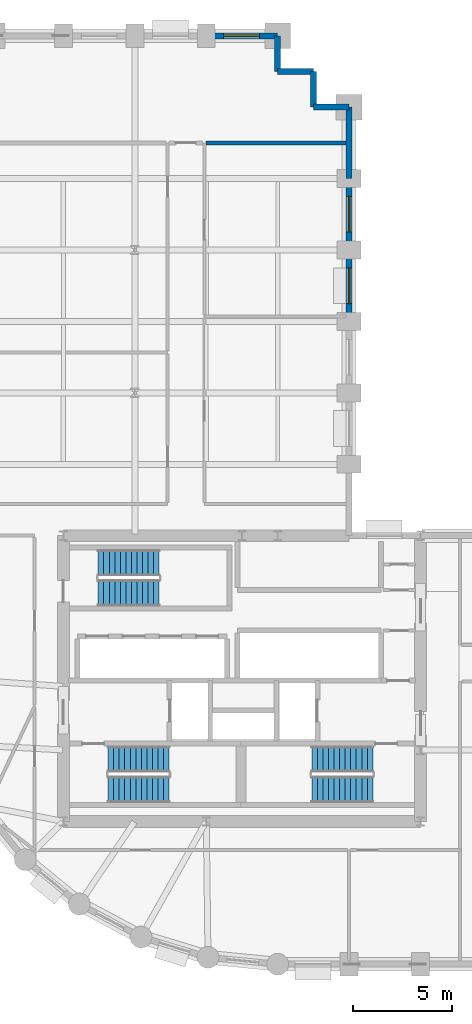
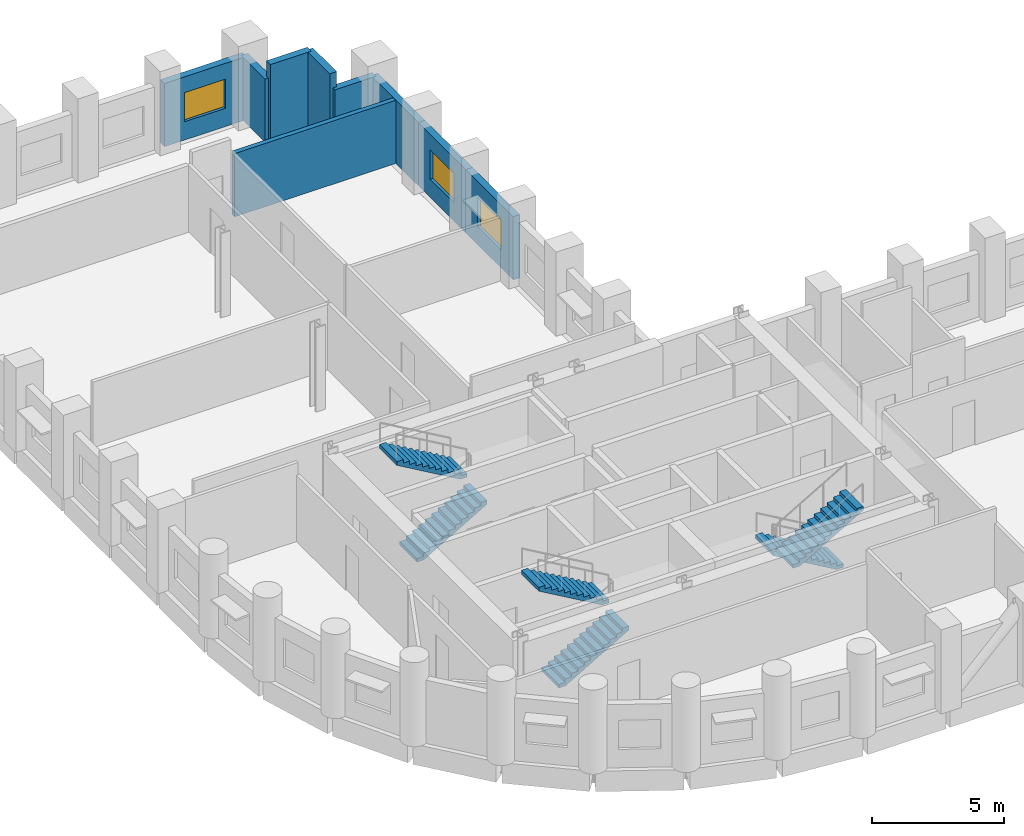
# One storey, part 9 of 11: 9 walls, 6 stair flights, 3 windows, 3 openings, 3 elements without a shape of their own.
"""IFC4 building model written with IfcOpenShell, lengths in metres."""

from ifc_helpers import new_model, si_unit, direction, frame, frame_2d, origin, place, context, subcontext, project, spatial, polyline, rectangle, outline, extrude, material, layer, layer_set, type_object, element, fill, aggregate, save


model = new_model("IFC4")

# Units and contexts
model_context = context("Model", 3, precision=1e-05, world=origin(), true_north=direction((0.0, 1.0)))
body_context = subcontext(model_context, "Body", "Model", "MODEL_VIEW")
ifc_project = project(units=[si_unit("LENGTHUNIT", "METRE"), si_unit("AREAUNIT", "SQUARE_METRE"), si_unit("VOLUMEUNIT", "CUBIC_METRE"), si_unit("PLANEANGLEUNIT", "RADIAN"), si_unit("MASSUNIT", "GRAM", prefix="KILO")], contexts=[model_context])

# Site, building, storey
site_placement = place(None, origin())
site = spatial("IfcSite", under=ifc_project, at=site_placement, CompositionType="ELEMENT")
building_placement = place(site_placement, origin())
building = spatial("IfcBuilding", under=site, at=building_placement, Name="Solnavia Interchange Tower", CompositionType="ELEMENT")
storey_placement = place(building_placement, frame((0.0, 0.0, 47.39990234375)))
storey = spatial("IfcBuildingStorey", under=building, at=storey_placement, Name="L11", CompositionType="ELEMENT", Elevation=47.39990234375)

# Wall
ifc_material_1 = material(Name="Gypsum Acoustic Twin-Stud & Mineral Wool", Category="gypsum")
ifc_layer_1 = layer(ifc_material_1, 0.199951171875)
ifc_layer_set_1 = layer_set([ifc_layer_1], Name="Gypsum Acoustic Twin-Stud & Mineral Wool")
wall_type_1 = type_object("IfcWallType", Name="Wall-ApartmentParty-200", PredefinedType="PARTITIONING", material=ifc_layer_set_1)
wall_1_placement = place(storey_placement, frame((21.5791015625, 45.0, 0.0), z_axis=(0.0, 0.0, 1.0), x_axis=(1.0, 0.0, 0.0)))
element("IfcWall", 1, at=wall_1_placement, inside=storey, type_object=wall_type_1, Name="PTW-L11-36 Interior partition wall", PredefinedType="PARTITIONING", context=body_context, shape_type="SweptSolid", body=[
    extrude(rectangle(XDim=7.06689453125, YDim=0.199951171875, at=frame_2d((3.533447265625, 0.0))), origin(), (0.0, 0.0, 1.0), 2.93017578125),
])

# Wall, opening, window
ifc_material_2 = material(Name="Concrete C40/50", Category="concrete")
ifc_layer_2 = layer(ifc_material_2, 0.300048828125)
ifc_layer_set_2 = layer_set([ifc_layer_2], Name="Concrete C40/50")
wall_type_2 = type_object("IfcWallType", Name="Wall-ExtSpandrel-300", PredefinedType="STANDARD", material=ifc_layer_set_2)
wall_2_placement = place(storey_placement, frame((28.800048828125, 36.0, 0.0), z_axis=(0.0, 0.0, 1.0), x_axis=(0.0, 1.0, 0.0)))
wall_2 = element("IfcWall", 2, at=wall_2_placement, inside=storey, type_object=wall_type_2, Name="EXW-L11-33 Exterior precast spandrel wall", PredefinedType="STANDARD", context=body_context, shape_type="SweptSolid", body=[
    extrude(rectangle(XDim=3.60009765625, YDim=0.300048828125, at=frame_2d((1.800048828125, 0.0))), origin(), (0.0, 0.0, 1.0), 2.93017578125),
])
opening_1_placement = place(wall_2_placement, frame((0.89990234375, 0.0, 0.85009765625)))
opening_1 = element("IfcOpeningElement", 3, at=opening_1_placement, cuts=wall_2, Name="Opening WIN-02", PredefinedType="OPENING", context=body_context, shape_type="SweptSolid", body=[
    extrude(rectangle(XDim=1.800048828125, YDim=1.35009765625, at=frame_2d((0.89990234375, 0.675048828125))), frame((0.0, 0.16015625, 0.0), z_axis=(0.0, -1.0, 0.0), x_axis=(1.0, 0.0, 0.0)), (0.0, 0.0, 1.0), 0.320068359375),
])
ifc_material_3 = material(Name="Thermal-Break Aluminium & Low-E Glass", Category="aluminium")
window_type = type_object("IfcWindowType", Name="Window-Ribbon-1800x1350", PartitioningType="SINGLE_PANEL", PredefinedType="WINDOW", material=ifc_material_3)
window_1_placement = place(opening_1_placement, origin())
window_1 = element("IfcWindow", 4, at=window_1_placement, inside=storey, type_object=window_type, Name="WIN-L11-33 Facade ribbon window", OverallHeight=1.35009765625, OverallWidth=1.800048828125, PartitioningType="SINGLE_PANEL", PredefinedType="WINDOW", context=body_context, shape_type="SweptSolid", body=[
    extrude(rectangle(XDim=1.800048828125, YDim=1.35009765625, at=frame_2d((0.89990234375, 0.675048828125))), frame((0.0, 0.030029296875, 0.0), z_axis=(0.0, -1.0, 0.0), x_axis=(1.0, 0.0, 0.0)), (0.0, 0.0, 1.0), 0.06005859375),
])
fill(opening_1, window_1)

wall_3_placement = place(storey_placement, frame((28.800048828125, 39.60009765625, 0.0), z_axis=(0.0, 0.0, 1.0), x_axis=(0.0, 1.0, 0.0)))
wall_3 = element("IfcWall", 5, at=wall_3_placement, inside=storey, type_object=wall_type_2, Name="EXW-L11-34 Exterior precast spandrel wall", PredefinedType="STANDARD", context=body_context, shape_type="SweptSolid", body=[
    extrude(rectangle(XDim=3.599853515625, YDim=0.300048828125, at=frame_2d((1.7998046875, 0.0))), origin(), (0.0, 0.0, 1.0), 2.93017578125),
])
opening_2_placement = place(wall_3_placement, frame((0.89990234375, 0.0, 0.85009765625)))
opening_2 = element("IfcOpeningElement", 6, at=opening_2_placement, cuts=wall_3, Name="Opening WIN-02", PredefinedType="OPENING", context=body_context, shape_type="SweptSolid", body=[
    extrude(rectangle(XDim=1.800048828125, YDim=1.35009765625, at=frame_2d((0.89990234375, 0.675048828125))), frame((0.0, 0.16015625, 0.0), z_axis=(0.0, -1.0, 0.0), x_axis=(1.0, 0.0, 0.0)), (0.0, 0.0, 1.0), 0.320068359375),
])
window_2_placement = place(opening_2_placement, origin())
window_2 = element("IfcWindow", 7, at=window_2_placement, inside=storey, type_object=window_type, Name="WIN-L11-34 Facade ribbon window", OverallHeight=1.35009765625, OverallWidth=1.800048828125, PartitioningType="SINGLE_PANEL", PredefinedType="WINDOW", context=body_context, shape_type="SweptSolid", body=[
    extrude(rectangle(XDim=1.800048828125, YDim=1.35009765625, at=frame_2d((0.89990234375, 0.675048828125))), frame((0.0, 0.030029296875, 0.0), z_axis=(0.0, -1.0, 0.0), x_axis=(1.0, 0.0, 0.0)), (0.0, 0.0, 1.0), 0.06005859375),
])
fill(opening_2, window_2)

# Walls
wall_4_placement = place(storey_placement, frame((28.800048828125, 43.199951171875, 0.0), z_axis=(0.0, 0.0, 1.0), x_axis=(0.0, 1.0, 0.0)))
element("IfcWall", 8, at=wall_4_placement, inside=storey, type_object=wall_type_2, Name="EXW-L11-35 Exterior precast spandrel wall", PredefinedType="STANDARD", context=body_context, shape_type="SweptSolid", body=[
    extrude(rectangle(XDim=3.60009765625, YDim=0.300048828125, at=frame_2d((1.800048828125, 0.0))), origin(), (0.0, 0.0, 1.0), 2.93017578125),
])
wall_5_placement = place(storey_placement, frame((27.0, 46.800048828125, 0.0), z_axis=(0.0, 0.0, 1.0), x_axis=(1.0, 0.0, 0.0)))
element("IfcWall", 9, at=wall_5_placement, inside=storey, type_object=wall_type_2, Name="EXW-L11-36 Exterior precast spandrel wall", PredefinedType="STANDARD", context=body_context, shape_type="SweptSolid", body=[
    extrude(rectangle(XDim=1.800048828125, YDim=0.300048828125, at=frame_2d((0.89990234375, 0.0))), origin(), (0.0, 0.0, 1.0), 2.93017578125),
])
for number, where, z_axis, x_axis, name in (
    (10, (27.0, 46.800048828125, 0.0), (0.0, 0.0, 1.0), (0.0, 1.0, 0.0), "EXW-L11-37 Exterior precast spandrel wall"),
    (11, (25.199951171875, 48.60009765625, 0.0), (0.0, 0.0, 1.0), (1.0, 0.0, 0.0), "EXW-L11-38 Exterior precast spandrel wall"),
):
    element("IfcWall", number, at=place(storey_placement, frame(where, z_axis=z_axis, x_axis=x_axis)), inside=storey, type_object=wall_type_2, Name=name, PredefinedType="STANDARD", context=body_context, shape_type="SweptSolid", body=[
        extrude(rectangle(XDim=1.800048828125, YDim=0.300048828125, at=frame_2d((0.89990234375, 0.0))), origin(), (0.0, 0.0, 1.0), 3.635009765625),
    ])
wall_6_placement = place(storey_placement, frame((25.199951171875, 48.60009765625, 0.0), z_axis=(0.0, 0.0, 1.0), x_axis=(0.0, 1.0, 0.0)))
element("IfcWall", 12, at=wall_6_placement, inside=storey, type_object=wall_type_2, Name="EXW-L11-39 Exterior precast spandrel wall", PredefinedType="STANDARD", context=body_context, shape_type="SweptSolid", body=[
    extrude(rectangle(XDim=1.7998046875, YDim=0.300048828125, at=frame_2d((0.89990234375, 0.0))), origin(), (0.0, 0.0, 1.0), 2.93017578125),
])

# Wall, opening, window
wall_7_placement = place(storey_placement, frame((21.60009765625, 50.39990234375, 0.0), z_axis=(0.0, 0.0, 1.0), x_axis=(1.0, 0.0, 0.0)))
wall_7 = element("IfcWall", 13, at=wall_7_placement, inside=storey, type_object=wall_type_2, Name="EXW-L11-40 Exterior precast spandrel wall", PredefinedType="STANDARD", context=body_context, shape_type="SweptSolid", body=[
    extrude(rectangle(XDim=3.599853515625, YDim=0.300048828125, at=frame_2d((1.7998046875, 0.0))), origin(), (0.0, 0.0, 1.0), 2.93017578125),
])
opening_3_placement = place(wall_7_placement, frame((0.875, 0.0, 0.85009765625)))
opening_3 = element("IfcOpeningElement", 14, at=opening_3_placement, cuts=wall_7, Name="Opening WIN-02", PredefinedType="OPENING", context=body_context, shape_type="SweptSolid", body=[
    extrude(rectangle(XDim=1.800048828125, YDim=1.35009765625, at=frame_2d((0.89990234375, 0.675048828125))), frame((0.0, 0.16015625, 0.0), z_axis=(0.0, -1.0, 0.0), x_axis=(1.0, 0.0, 0.0)), (0.0, 0.0, 1.0), 0.320068359375),
])
window_3_placement = place(opening_3_placement, origin())
window_3 = element("IfcWindow", 15, at=window_3_placement, inside=storey, type_object=window_type, Name="WIN-L11-40 Facade ribbon window", OverallHeight=1.35009765625, OverallWidth=1.800048828125, PartitioningType="SINGLE_PANEL", PredefinedType="WINDOW", context=body_context, shape_type="SweptSolid", body=[
    extrude(rectangle(XDim=1.800048828125, YDim=1.35009765625, at=frame_2d((0.89990234375, 0.675048828125))), frame((0.0, 0.030029296875, 0.0), z_axis=(0.0, -1.0, 0.0), x_axis=(1.0, 0.0, 0.0)), (0.0, 0.0, 1.0), 0.06005859375),
])
fill(opening_3, window_3)

# Stair, stair flights
stair_type = type_object("IfcStairType", Name="Stair-Dogleg-RC", PredefinedType="HALF_TURN_STAIR", material=ifc_material_2)
stair_1_placement = place(storey_placement, origin())
stair_1 = element("IfcStair", 16, at=stair_1_placement, inside=storey, type_object=stair_type, Name="L11 Core exit stair 1", PredefinedType="HALF_TURN_STAIR")
stair_flight_type = type_object("IfcStairFlightType", Name="StairFlight-RC-150", PredefinedType="STRAIGHT", material=ifc_material_2)
stair_flight_1_placement = place(storey_placement, frame((16.64990234375, 12.409912109375, 0.0), z_axis=(0.0, 0.0, 1.0), x_axis=(1.0, 0.0, 0.0)))
stair_flight_1 = element("IfcStairFlight", 17, at=stair_flight_1_placement, type_object=stair_flight_type, Name="ST-1 flight 1", NumberOfRisers=12, NumberOfTreads=11, PredefinedType="STRAIGHT", RiserHeight=0.1625, TreadLength=0.28, context=body_context, shape_type="SweptSolid", body=[
    extrude(outline(polyline([(0.0, 0.0), (0.0, 0.16259765625), (0.280029296875, 0.16259765625), (0.280029296875, 0.324951171875), (0.56005859375, 0.324951171875), (0.56005859375, 0.487548828125), (0.840087890625, 0.487548828125), (0.840087890625, 0.64990234375), (1.1201171875, 0.64990234375), (1.1201171875, 0.8125), (1.39990234375, 0.8125), (1.39990234375, 0.97509765625), (1.679931640625, 0.97509765625), (1.679931640625, 1.137451171875), (1.9599609375, 1.137451171875), (1.9599609375, 1.300048828125), (2.239990234375, 1.300048828125), (2.239990234375, 1.46240234375), (2.52001953125, 1.46240234375), (2.52001953125, 1.625), (2.800048828125, 1.625), (2.800048828125, 1.78759765625), (3.080078125, 1.78759765625), (3.080078125, 1.949951171875), (3.080078125, 1.6142578125), (0.298583984375, 0.0), (0.0, 0.0)])), frame((0.0, 0.66015625, 0.0), z_axis=(0.0, -1.0, 0.0), x_axis=(1.0, 0.0, 0.0)), (0.0, 0.0, 1.0), 1.320068359375),
])
stair_flight_2_placement = place(storey_placement, frame((19.72998046875, 13.929931640625, 1.9501953125), z_axis=(0.0, 0.0, 1.0), x_axis=(-1.0, 0.0, 0.0)))
stair_flight_2 = element("IfcStairFlight", 18, at=stair_flight_2_placement, type_object=stair_flight_type, Name="ST-1 flight 2", NumberOfRisers=12, NumberOfTreads=11, PredefinedType="STRAIGHT", RiserHeight=0.1625, TreadLength=0.28, context=body_context, shape_type="SweptSolid", body=[
    extrude(outline(polyline([(0.0, 0.0), (0.0, 0.16259765625), (0.280029296875, 0.16259765625), (0.280029296875, 0.324951171875), (0.56005859375, 0.324951171875), (0.56005859375, 0.487548828125), (0.840087890625, 0.487548828125), (0.840087890625, 0.64990234375), (1.1201171875, 0.64990234375), (1.1201171875, 0.8125), (1.39990234375, 0.8125), (1.39990234375, 0.97509765625), (1.679931640625, 0.97509765625), (1.679931640625, 1.137451171875), (1.9599609375, 1.137451171875), (1.9599609375, 1.300048828125), (2.239990234375, 1.300048828125), (2.239990234375, 1.46240234375), (2.52001953125, 1.46240234375), (2.52001953125, 1.625), (2.800048828125, 1.625), (2.800048828125, 1.78759765625), (3.080078125, 1.78759765625), (3.080078125, 1.949951171875), (3.080078125, 1.6142578125), (0.298583984375, 0.0), (0.0, 0.0)])), frame((0.0, 0.66015625, 0.0), z_axis=(0.0, -1.0, 0.0), x_axis=(1.0, 0.0, 0.0)), (0.0, 0.0, 1.0), 1.320068359375),
])
aggregate(stair_1, [stair_flight_1, stair_flight_2])

stair_2_placement = place(storey_placement, origin())
stair_2 = element("IfcStair", 19, at=stair_2_placement, inside=storey, type_object=stair_type, Name="L11 Core exit stair 2", PredefinedType="HALF_TURN_STAIR")
stair_flight_3_placement = place(storey_placement, frame((30.0, 13.929931640625, 0.0), z_axis=(0.0, 0.0, 1.0), x_axis=(-1.0, 0.0, 0.0)))
stair_flight_3 = element("IfcStairFlight", 20, at=stair_flight_3_placement, type_object=stair_flight_type, Name="ST-2 flight 1", NumberOfRisers=12, NumberOfTreads=11, PredefinedType="STRAIGHT", RiserHeight=0.1625, TreadLength=0.28, context=body_context, shape_type="SweptSolid", body=[
    extrude(outline(polyline([(0.0, 0.0), (0.0, 0.16259765625), (0.280029296875, 0.16259765625), (0.280029296875, 0.324951171875), (0.56005859375, 0.324951171875), (0.56005859375, 0.487548828125), (0.840087890625, 0.487548828125), (0.840087890625, 0.64990234375), (1.1201171875, 0.64990234375), (1.1201171875, 0.8125), (1.39990234375, 0.8125), (1.39990234375, 0.97509765625), (1.679931640625, 0.97509765625), (1.679931640625, 1.137451171875), (1.9599609375, 1.137451171875), (1.9599609375, 1.300048828125), (2.239990234375, 1.300048828125), (2.239990234375, 1.46240234375), (2.52001953125, 1.46240234375), (2.52001953125, 1.625), (2.800048828125, 1.625), (2.800048828125, 1.78759765625), (3.080078125, 1.78759765625), (3.080078125, 1.949951171875), (3.080078125, 1.6142578125), (0.298583984375, 0.0), (0.0, 0.0)])), frame((0.0, 0.66015625, 0.0), z_axis=(0.0, -1.0, 0.0), x_axis=(1.0, 0.0, 0.0)), (0.0, 0.0, 1.0), 1.320068359375),
])
stair_flight_4_placement = place(storey_placement, frame((26.919921875, 12.409912109375, 1.9501953125), z_axis=(0.0, 0.0, 1.0), x_axis=(1.0, 0.0, 0.0)))
stair_flight_4 = element("IfcStairFlight", 21, at=stair_flight_4_placement, type_object=stair_flight_type, Name="ST-2 flight 2", NumberOfRisers=12, NumberOfTreads=11, PredefinedType="STRAIGHT", RiserHeight=0.1625, TreadLength=0.28, context=body_context, shape_type="SweptSolid", body=[
    extrude(outline(polyline([(0.0, 0.0), (0.0, 0.16259765625), (0.280029296875, 0.16259765625), (0.280029296875, 0.324951171875), (0.56005859375, 0.324951171875), (0.56005859375, 0.487548828125), (0.840087890625, 0.487548828125), (0.840087890625, 0.64990234375), (1.1201171875, 0.64990234375), (1.1201171875, 0.8125), (1.39990234375, 0.8125), (1.39990234375, 0.97509765625), (1.679931640625, 0.97509765625), (1.679931640625, 1.137451171875), (1.9599609375, 1.137451171875), (1.9599609375, 1.300048828125), (2.239990234375, 1.300048828125), (2.239990234375, 1.46240234375), (2.52001953125, 1.46240234375), (2.52001953125, 1.625), (2.800048828125, 1.625), (2.800048828125, 1.78759765625), (3.080078125, 1.78759765625), (3.080078125, 1.949951171875), (3.080078125, 1.6142578125), (0.298583984375, 0.0), (0.0, 0.0)])), frame((0.0, 0.66015625, 0.0), z_axis=(0.0, -1.0, 0.0), x_axis=(1.0, 0.0, 0.0)), (0.0, 0.0, 1.0), 1.320068359375),
])
aggregate(stair_2, [stair_flight_3, stair_flight_4])

stair_3_placement = place(storey_placement, origin())
stair_3 = element("IfcStair", 22, at=stair_3_placement, inside=storey, type_object=stair_type, Name="L11 Core exit stair 3", PredefinedType="HALF_TURN_STAIR")
stair_flight_5_placement = place(storey_placement, frame((16.14990234375, 22.31005859375, 0.0), z_axis=(0.0, 0.0, 1.0), x_axis=(1.0, 0.0, 0.0)))
stair_flight_5 = element("IfcStairFlight", 23, at=stair_flight_5_placement, type_object=stair_flight_type, Name="ST-3 flight 1", NumberOfRisers=12, NumberOfTreads=11, PredefinedType="STRAIGHT", RiserHeight=0.1625, TreadLength=0.28, context=body_context, shape_type="SweptSolid", body=[
    extrude(outline(polyline([(0.0, 0.0), (0.0, 0.16259765625), (0.280029296875, 0.16259765625), (0.280029296875, 0.324951171875), (0.56005859375, 0.324951171875), (0.56005859375, 0.487548828125), (0.840087890625, 0.487548828125), (0.840087890625, 0.64990234375), (1.1201171875, 0.64990234375), (1.1201171875, 0.8125), (1.39990234375, 0.8125), (1.39990234375, 0.97509765625), (1.679931640625, 0.97509765625), (1.679931640625, 1.137451171875), (1.9599609375, 1.137451171875), (1.9599609375, 1.300048828125), (2.239990234375, 1.300048828125), (2.239990234375, 1.46240234375), (2.52001953125, 1.46240234375), (2.52001953125, 1.625), (2.800048828125, 1.625), (2.800048828125, 1.78759765625), (3.080078125, 1.78759765625), (3.080078125, 1.949951171875), (3.080078125, 1.6142578125), (0.298583984375, 0.0), (0.0, 0.0)])), frame((0.0, 0.66015625, 0.0), z_axis=(0.0, -1.0, 0.0), x_axis=(1.0, 0.0, 0.0)), (0.0, 0.0, 1.0), 1.320068359375),
])
stair_flight_6_placement = place(storey_placement, frame((19.22998046875, 23.830078125, 1.9501953125), z_axis=(0.0, 0.0, 1.0), x_axis=(-1.0, 0.0, 0.0)))
stair_flight_6 = element("IfcStairFlight", 24, at=stair_flight_6_placement, type_object=stair_flight_type, Name="ST-3 flight 2", NumberOfRisers=12, NumberOfTreads=11, PredefinedType="STRAIGHT", RiserHeight=0.1625, TreadLength=0.28, context=body_context, shape_type="SweptSolid", body=[
    extrude(outline(polyline([(0.0, 0.0), (0.0, 0.16259765625), (0.280029296875, 0.16259765625), (0.280029296875, 0.324951171875), (0.56005859375, 0.324951171875), (0.56005859375, 0.487548828125), (0.840087890625, 0.487548828125), (0.840087890625, 0.64990234375), (1.1201171875, 0.64990234375), (1.1201171875, 0.8125), (1.39990234375, 0.8125), (1.39990234375, 0.97509765625), (1.679931640625, 0.97509765625), (1.679931640625, 1.137451171875), (1.9599609375, 1.137451171875), (1.9599609375, 1.300048828125), (2.239990234375, 1.300048828125), (2.239990234375, 1.46240234375), (2.52001953125, 1.46240234375), (2.52001953125, 1.625), (2.800048828125, 1.625), (2.800048828125, 1.78759765625), (3.080078125, 1.78759765625), (3.080078125, 1.949951171875), (3.080078125, 1.6142578125), (0.298583984375, 0.0), (0.0, 0.0)])), frame((0.0, 0.66015625, 0.0), z_axis=(0.0, -1.0, 0.0), x_axis=(1.0, 0.0, 0.0)), (0.0, 0.0, 1.0), 1.320068359375),
])
aggregate(stair_3, [stair_flight_5, stair_flight_6])

save(model, "model.ifc")
